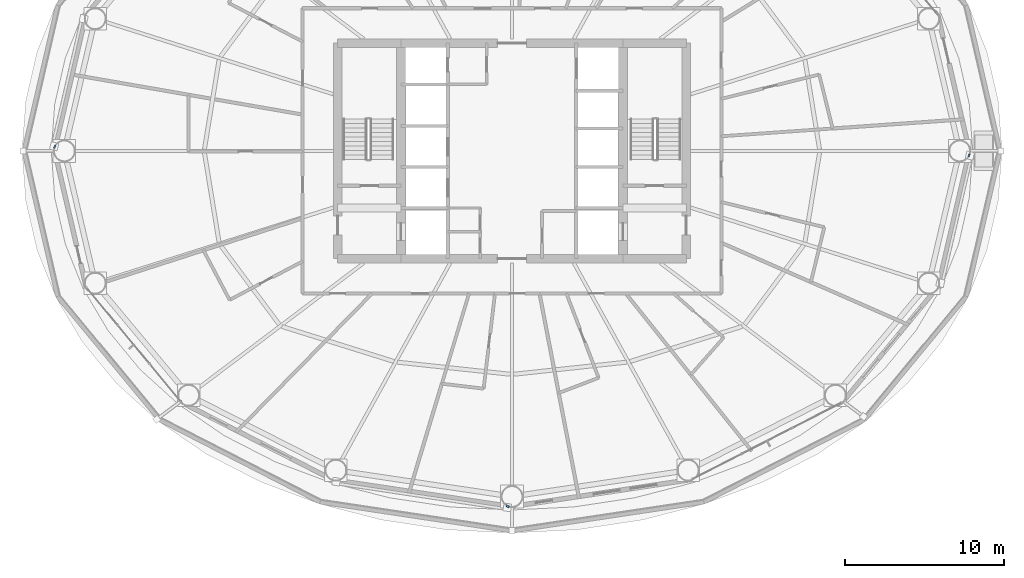
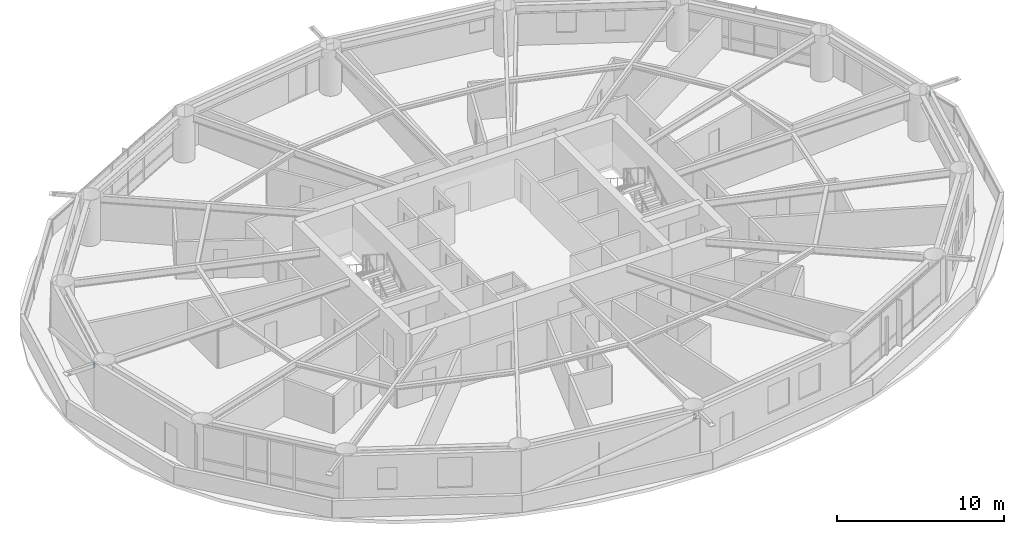
# One storey, part 13 of 25: 3 members.
"""IFC4 building model written with IfcOpenShell, lengths in metres."""

from ifc_helpers import new_model, si_unit, direction, frame, origin, origin_2d, place, context, subcontext, project, spatial, hollow_rectangle, extrude, material, material_profile, profile_set, type_object, element, save


model = new_model("IFC4")

# Units and contexts
model_context = context("Model", 3, precision=1e-05, world=origin(), true_north=direction((0.0, 1.0)))
body_context = subcontext(model_context, "Body", "Model", "MODEL_VIEW")
ifc_project = project(units=[si_unit("LENGTHUNIT", "METRE"), si_unit("AREAUNIT", "SQUARE_METRE"), si_unit("VOLUMEUNIT", "CUBIC_METRE"), si_unit("PLANEANGLEUNIT", "RADIAN"), si_unit("MASSUNIT", "GRAM", prefix="KILO")], contexts=[model_context])

# Site, building, storey
site_placement = place(None, origin())
site = spatial("IfcSite", under=ifc_project, at=site_placement, CompositionType="ELEMENT")
building_placement = place(site_placement, origin())
building = spatial("IfcBuilding", under=site, at=building_placement, Name="Sarneth Arch Tower", CompositionType="ELEMENT")
storey_placement = place(building_placement, frame((0.0, 0.0, 84.0)))
storey = spatial("IfcBuildingStorey", under=building, at=storey_placement, Name="L20", CompositionType="ELEMENT", Elevation=84.0)

# Members
ifc_material = material(Name="Steel S355", Category="steel")
ifc_material_profile = material_profile(ifc_material, hollow_rectangle(XDim=0.199951171875, YDim=0.300048828125, WallThickness=0.012451171875, InnerFilletRadius=0.018798828125, OuterFilletRadius=0.03125, at=origin_2d()), Name="RHS300x200x12.5")
ifc_profile_set = profile_set([ifc_material_profile], Name="Steel S355")
member_type = type_object("IfcMemberType", Name="MEM-CANT-STRUT", PredefinedType="STRUT", material=ifc_profile_set)
member_1_placement = place(storey_placement, frame((19.21044921875, 42.251708984375, 3.013427734375), z_axis=(-0.910281049829, 0.413990833621, 0.0), x_axis=(-0.413990833621, -0.910281049829, 0.0)))
element("IfcMember", 1, at=member_1_placement, inside=storey, type_object=member_type, Name="L20 Exoskeleton brace node strut 08B", PredefinedType="STRUT", context=body_context, shape_type="SweptSolid", body=[
    extrude(hollow_rectangle(XDim=0.199951171875, YDim=0.300048828125, WallThickness=0.012451171875, InnerFilletRadius=0.018798828125, OuterFilletRadius=0.03125, at=origin_2d()), origin(), (0.0, 0.0, 1.0), 0.097900390625),
])
member_2_placement = place(storey_placement, frame((47.7587890625, 19.642578125, 3.013427734375), z_axis=(-0.397509148639, -0.917598210955, 0.0), x_axis=(0.917598210955, -0.397509148639, 0.0)))
element("IfcMember", 2, at=member_2_placement, inside=storey, type_object=member_type, Name="L20 Exoskeleton brace node strut 12B", PredefinedType="STRUT", context=body_context, shape_type="SweptSolid", body=[
    extrude(hollow_rectangle(XDim=0.199951171875, YDim=0.300048828125, WallThickness=0.012451171875, InnerFilletRadius=0.018798828125, OuterFilletRadius=0.03125, at=origin_2d()), origin(), (0.0, 0.0, 1.0), 0.139404296875),
])
member_3_placement = place(storey_placement, frame((76.78955078125, 41.748291015625, 3.013427734375), z_axis=(0.910281049829, -0.413990833621, 0.0), x_axis=(0.413990833621, 0.910281049829, 0.0)))
element("IfcMember", 3, at=member_3_placement, inside=storey, type_object=member_type, Name="L20 Exoskeleton brace node strut 16B", PredefinedType="STRUT", context=body_context, shape_type="SweptSolid", body=[
    extrude(hollow_rectangle(XDim=0.199951171875, YDim=0.300048828125, WallThickness=0.012451171875, InnerFilletRadius=0.018798828125, OuterFilletRadius=0.03125, at=origin_2d()), origin(), (0.0, 0.0, 1.0), 0.097900390625),
])

save(model, "model.ifc")
